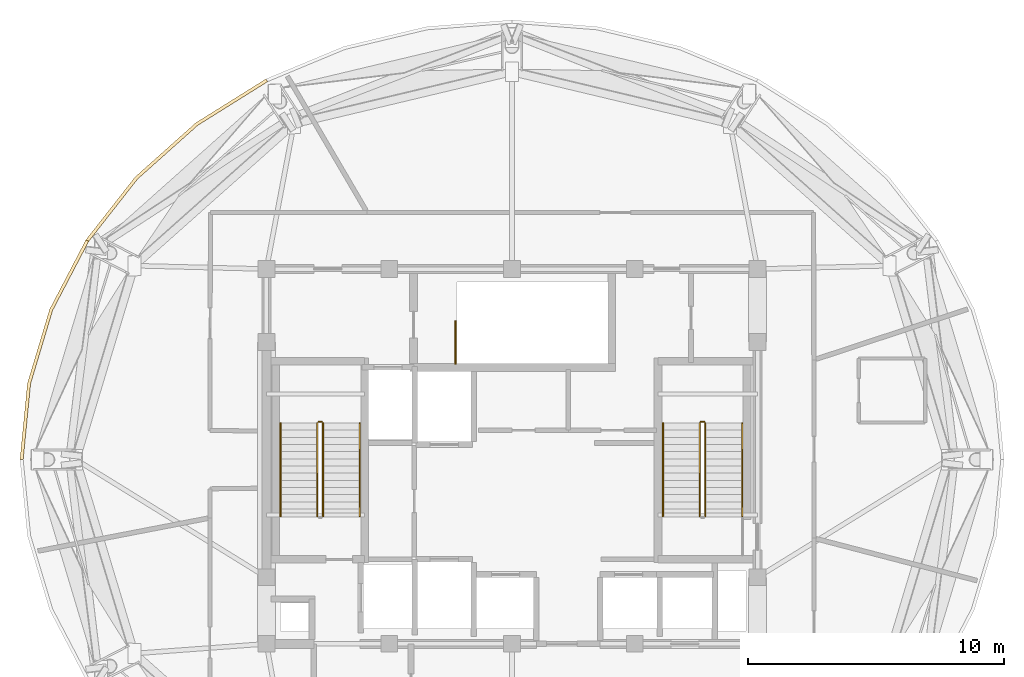
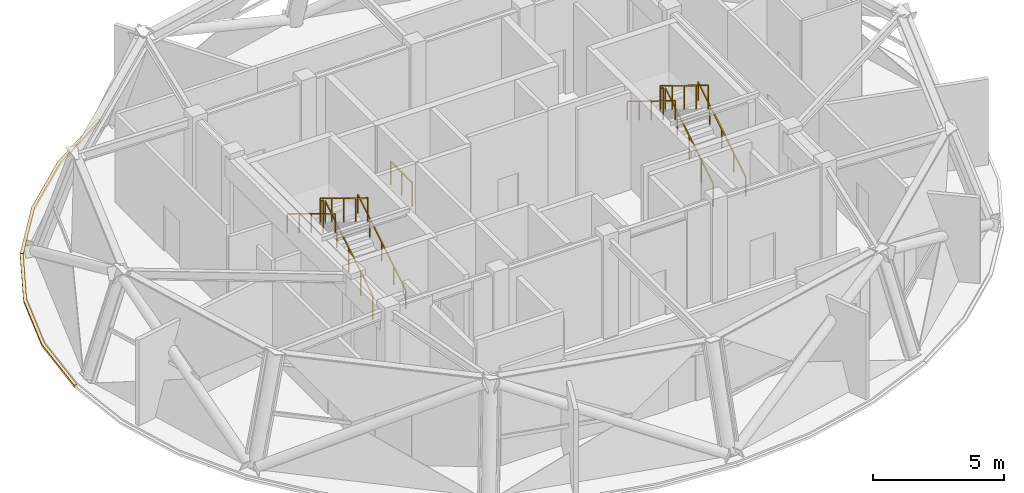
# One storey, part 10 of 11: 11 railings, 2 coverings.
"""IFC4 building model written with IfcOpenShell, lengths in metres."""

from ifc_helpers import new_model, si_unit, direction, frame, origin, origin_2d, place, context, subcontext, project, spatial, polyline, rectangle, outline, extrude, material, layer, layer_set, type_object, element, save


model = new_model("IFC4")

# Units and contexts
model_context = context("Model", 3, precision=1e-05, world=origin(), true_north=direction((0.0, 1.0)))
body_context = subcontext(model_context, "Body", "Model", "MODEL_VIEW")
ifc_project = project(units=[si_unit("LENGTHUNIT", "METRE"), si_unit("AREAUNIT", "SQUARE_METRE"), si_unit("VOLUMEUNIT", "CUBIC_METRE"), si_unit("PLANEANGLEUNIT", "RADIAN"), si_unit("MASSUNIT", "GRAM", prefix="KILO")], contexts=[model_context])

# Site, building, storey
site_placement = place(None, origin())
site = spatial("IfcSite", under=ifc_project, at=site_placement, CompositionType="ELEMENT")
building_placement = place(site_placement, origin())
building = spatial("IfcBuilding", under=site, at=building_placement, Name="Vantalir Tower", CompositionType="ELEMENT")
storey_placement = place(building_placement, frame((0.0, 0.0, 299.699951171875)))
storey = spatial("IfcBuildingStorey", under=building, at=storey_placement, Name="L75", CompositionType="ELEMENT", Elevation=299.699951171875)

# Coverings
ifc_material_1 = material(Name="Anodised champagne aluminium sill fascia", Category="aluminium")
ifc_layer = layer(ifc_material_1, 0.125)
ifc_layer_set = layer_set([ifc_layer], Name="Anodised champagne aluminium sill fascia")
covering_type = type_object("IfcCoveringType", Name="COV-SLAB-FASCIA-125", PredefinedType="CLADDING", material=ifc_layer_set)
covering_1_placement = place(storey_placement, frame((0.0, 0.0, -0.179931640625)))
element("IfcCovering", 1, at=covering_1_placement, inside=storey, type_object=covering_type, Name="L75 Perimeter Slab-Edge Sill Fascia 05", PredefinedType="CLADDING", context=body_context, shape_type="SweptSolid", body=[
    extrude(outline(polyline([(21.883056640625, 39.884033203125), (19.135986328125, 38.166015625), (16.764892578125, 36.048095703125), (14.842041015625, 33.593017578125), (14.949951171875, 33.531005859375), (16.861083984375, 35.967041015625), (19.216064453125, 38.070068359375), (21.945068359375, 39.77587890625), (21.883056640625, 39.884033203125)])), origin(), (0.0, 0.0, 1.0), 0.10498046875),
])
covering_2_placement = place(storey_placement, frame((0.0, 0.0, -0.179931640625)))
element("IfcCovering", 2, at=covering_2_placement, inside=storey, type_object=covering_type, Name="L75 Perimeter Slab-Edge Sill Fascia 06", PredefinedType="CLADDING", context=body_context, shape_type="SweptSolid", body=[
    extrude(outline(polyline([(14.842041015625, 33.593017578125), (13.425048828125, 30.8779296875), (12.556884765625, 27.98388671875), (12.264892578125, 25.0), (12.389892578125, 25.0), (12.679931640625, 27.962890625), (13.5419921875, 30.8359375), (14.949951171875, 33.531005859375), (14.842041015625, 33.593017578125)])), origin(), (0.0, 0.0, 1.0), 0.10498046875),
])

# Railings
ifc_material_2 = material(Name="Anodised aluminium and stainless steel guard", Category="steel")
railing_type_1 = type_object("IfcRailingType", Name="RAL-GUARD-1120", PredefinedType="GUARDRAIL", material=ifc_material_2)
railing_1_placement = place(storey_placement, frame((24.110107421875, 22.7900390625, 0.17138671875)))
element("IfcRailing", 3, at=railing_1_placement, inside=storey, type_object=railing_type_1, Name="L75 ST1 stair guard 1", PredefinedType="GUARDRAIL", context=body_context, shape_type="SweptSolid", body=[
    extrude(rectangle(XDim=0.048095703125, YDim=0.048095703125, at=origin_2d()), frame((0.0, 0.0, 1.09619140625), z_axis=(0.0, 0.852824790078, 0.522197163366), x_axis=(-1.0, 0.0, 0.0)), (0.0, 0.0, 1.0), 4.26806640625),
    extrude(rectangle(XDim=0.0419921875, YDim=0.0419921875, at=origin_2d()), origin(), (0.0, 0.0, 1.0), 1.072021484375),
    extrude(rectangle(XDim=0.0419921875, YDim=0.0419921875, at=origin_2d()), frame((0.0, 0.909912109375, 0.55712890625)), (0.0, 0.0, 1.0), 1.072021484375),
    extrude(rectangle(XDim=0.0419921875, YDim=0.0419921875, at=origin_2d()), frame((0.0, 1.81982421875, 1.1142578125)), (0.0, 0.0, 1.0), 1.072021484375),
    extrude(rectangle(XDim=0.0419921875, YDim=0.0419921875, at=origin_2d()), frame((0.0, 2.72998046875, 1.671630859375)), (0.0, 0.0, 1.0), 1.072021484375),
    extrude(rectangle(XDim=0.0419921875, YDim=0.0419921875, at=origin_2d()), frame((0.0, 3.639892578125, 2.228759765625)), (0.0, 0.0, 1.0), 1.072021484375),
])
railing_2_placement = place(storey_placement, frame((24.06005859375, 26.47998046875, 2.400146484375)))
element("IfcRailing", 4, at=railing_2_placement, inside=storey, type_object=railing_type_1, Name="L75 ST1 stair guard 2", PredefinedType="GUARDRAIL", context=body_context, shape_type="SweptSolid", body=[
    extrude(rectangle(XDim=0.048095703125, YDim=0.048095703125, at=origin_2d()), frame((0.0, 0.0, 1.09619140625), z_axis=(-1.0, 0.0, 0.0), x_axis=(0.0, -1.0, 0.0)), (0.0, 0.0, 1.0), 0.1201171875),
    extrude(rectangle(XDim=0.0419921875, YDim=0.0419921875, at=origin_2d()), origin(), (0.0, 0.0, 1.0), 1.072021484375),
    extrude(rectangle(XDim=0.0419921875, YDim=0.0419921875, at=origin_2d()), frame((-0.1201171875, 0.0, 0.0)), (0.0, 0.0, 1.0), 1.072021484375),
])
railing_3_placement = place(storey_placement, frame((23.889892578125, 26.429931640625, 2.571533203125)))
element("IfcRailing", 5, at=railing_3_placement, inside=storey, type_object=railing_type_1, Name="L75 ST1 stair guard 3", PredefinedType="GUARDRAIL", context=body_context, shape_type="SweptSolid", body=[
    extrude(rectangle(XDim=0.048095703125, YDim=0.048095703125, at=origin_2d()), frame((0.0, 0.0, 1.09619140625), z_axis=(0.0, -0.852850264322, 0.5221555579), x_axis=(1.0, 0.0, 0.0)), (0.0, 0.0, 1.0), 4.267822265625),
    extrude(rectangle(XDim=0.0419921875, YDim=0.0419921875, at=origin_2d()), origin(), (0.0, 0.0, 1.0), 1.072021484375),
    extrude(rectangle(XDim=0.0419921875, YDim=0.0419921875, at=origin_2d()), frame((0.0, -0.909912109375, 0.55712890625)), (0.0, 0.0, 1.0), 1.072021484375),
    extrude(rectangle(XDim=0.0419921875, YDim=0.0419921875, at=origin_2d()), frame((0.0, -1.81982421875, 1.1142578125)), (0.0, 0.0, 1.0), 1.072021484375),
    extrude(rectangle(XDim=0.0419921875, YDim=0.0419921875, at=origin_2d()), frame((0.0, -2.72998046875, 1.67138671875)), (0.0, 0.0, 1.0), 1.072021484375),
    extrude(rectangle(XDim=0.0419921875, YDim=0.0419921875, at=origin_2d()), frame((0.0, -3.639892578125, 2.228515625)), (0.0, 0.0, 1.0), 1.072021484375),
])
railing_4_placement = place(storey_placement, frame((39.06005859375, 22.7900390625, 0.17138671875)))
element("IfcRailing", 6, at=railing_4_placement, inside=storey, type_object=railing_type_1, Name="L75 ST2 stair guard 1", PredefinedType="GUARDRAIL", context=body_context, shape_type="SweptSolid", body=[
    extrude(rectangle(XDim=0.048095703125, YDim=0.048095703125, at=origin_2d()), frame((0.0, 0.0, 1.09619140625), z_axis=(0.0, 0.852824790078, 0.522197163366), x_axis=(-1.0, 0.0, 0.0)), (0.0, 0.0, 1.0), 4.26806640625),
    extrude(rectangle(XDim=0.0419921875, YDim=0.0419921875, at=origin_2d()), origin(), (0.0, 0.0, 1.0), 1.072021484375),
    extrude(rectangle(XDim=0.0419921875, YDim=0.0419921875, at=origin_2d()), frame((0.0, 0.909912109375, 0.55712890625)), (0.0, 0.0, 1.0), 1.072021484375),
    extrude(rectangle(XDim=0.0419921875, YDim=0.0419921875, at=origin_2d()), frame((0.0, 1.81982421875, 1.1142578125)), (0.0, 0.0, 1.0), 1.072021484375),
    extrude(rectangle(XDim=0.0419921875, YDim=0.0419921875, at=origin_2d()), frame((0.0, 2.72998046875, 1.671630859375)), (0.0, 0.0, 1.0), 1.072021484375),
    extrude(rectangle(XDim=0.0419921875, YDim=0.0419921875, at=origin_2d()), frame((0.0, 3.639892578125, 2.228759765625)), (0.0, 0.0, 1.0), 1.072021484375),
])
railing_5_placement = place(storey_placement, frame((39.010009765625, 26.47998046875, 2.400146484375)))
element("IfcRailing", 7, at=railing_5_placement, inside=storey, type_object=railing_type_1, Name="L75 ST2 stair guard 2", PredefinedType="GUARDRAIL", context=body_context, shape_type="SweptSolid", body=[
    extrude(rectangle(XDim=0.048095703125, YDim=0.048095703125, at=origin_2d()), frame((0.0, 0.0, 1.09619140625), z_axis=(-1.0, 0.0, 0.0), x_axis=(0.0, -1.0, 0.0)), (0.0, 0.0, 1.0), 0.1201171875),
    extrude(rectangle(XDim=0.0419921875, YDim=0.0419921875, at=origin_2d()), origin(), (0.0, 0.0, 1.0), 1.072021484375),
    extrude(rectangle(XDim=0.0419921875, YDim=0.0419921875, at=origin_2d()), frame((-0.1201171875, 0.0, 0.0)), (0.0, 0.0, 1.0), 1.072021484375),
])
railing_6_placement = place(storey_placement, frame((38.840087890625, 26.429931640625, 2.571533203125)))
element("IfcRailing", 8, at=railing_6_placement, inside=storey, type_object=railing_type_1, Name="L75 ST2 stair guard 3", PredefinedType="GUARDRAIL", context=body_context, shape_type="SweptSolid", body=[
    extrude(rectangle(XDim=0.048095703125, YDim=0.048095703125, at=origin_2d()), frame((0.0, 0.0, 1.09619140625), z_axis=(0.0, -0.852850264322, 0.5221555579), x_axis=(1.0, 0.0, 0.0)), (0.0, 0.0, 1.0), 4.267822265625),
    extrude(rectangle(XDim=0.0419921875, YDim=0.0419921875, at=origin_2d()), origin(), (0.0, 0.0, 1.0), 1.072021484375),
    extrude(rectangle(XDim=0.0419921875, YDim=0.0419921875, at=origin_2d()), frame((0.0, -0.909912109375, 0.55712890625)), (0.0, 0.0, 1.0), 1.072021484375),
    extrude(rectangle(XDim=0.0419921875, YDim=0.0419921875, at=origin_2d()), frame((0.0, -1.81982421875, 1.1142578125)), (0.0, 0.0, 1.0), 1.072021484375),
    extrude(rectangle(XDim=0.0419921875, YDim=0.0419921875, at=origin_2d()), frame((0.0, -2.72998046875, 1.67138671875)), (0.0, 0.0, 1.0), 1.072021484375),
    extrude(rectangle(XDim=0.0419921875, YDim=0.0419921875, at=origin_2d()), frame((0.0, -3.639892578125, 2.228515625)), (0.0, 0.0, 1.0), 1.072021484375),
])
railing_7_placement = place(storey_placement, frame((29.2900390625, 28.75, 0.0)))
element("IfcRailing", 9, at=railing_7_placement, inside=storey, type_object=railing_type_1, Name="L75 ST3 top well guard 1", PredefinedType="GUARDRAIL", context=body_context, shape_type="SweptSolid", body=[
    extrude(rectangle(XDim=0.048095703125, YDim=0.048095703125, at=origin_2d()), frame((0.0, 0.0, 1.09619140625), z_axis=(0.0, 1.0, 0.0), x_axis=(-1.0, 0.0, 0.0)), (0.0, 0.0, 1.0), 1.659912109375),
    extrude(rectangle(XDim=0.0419921875, YDim=0.0419921875, at=origin_2d()), origin(), (0.0, 0.0, 1.0), 1.072021484375),
    extrude(rectangle(XDim=0.0419921875, YDim=0.0419921875, at=origin_2d()), frame((0.0, 0.830078125, 0.0)), (0.0, 0.0, 1.0), 1.072021484375),
    extrude(rectangle(XDim=0.0419921875, YDim=0.0419921875, at=origin_2d()), frame((0.0, 1.659912109375, 0.0)), (0.0, 0.0, 1.0), 1.072021484375),
])
ifc_material_3 = material(Name="Brushed stainless steel tubular handrail", Category="steel")
railing_type_2 = type_object("IfcRailingType", Name="RAL-HANDRAIL-900", PredefinedType="HANDRAIL", material=ifc_material_3)
railing_8_placement = place(storey_placement, frame((25.550048828125, 22.7900390625, 0.17138671875)))
element("IfcRailing", 10, at=railing_8_placement, inside=storey, type_object=railing_type_2, Name="L75 ST1 stair handrail 1", PredefinedType="HANDRAIL", context=body_context, shape_type="SweptSolid", body=[
    extrude(rectangle(XDim=0.048095703125, YDim=0.048095703125, at=origin_2d()), frame((0.0, 0.0, 0.8759765625), z_axis=(0.0, 0.852824790078, 0.522197163366), x_axis=(-1.0, 0.0, 0.0)), (0.0, 0.0, 1.0), 4.26806640625),
    extrude(rectangle(XDim=0.0419921875, YDim=0.0419921875, at=origin_2d()), origin(), (0.0, 0.0, 1.0), 0.851806640625),
    extrude(rectangle(XDim=0.0419921875, YDim=0.0419921875, at=origin_2d()), frame((0.0, 0.909912109375, 0.55712890625)), (0.0, 0.0, 1.0), 0.851806640625),
    extrude(rectangle(XDim=0.0419921875, YDim=0.0419921875, at=origin_2d()), frame((0.0, 1.81982421875, 1.1142578125)), (0.0, 0.0, 1.0), 0.851806640625),
    extrude(rectangle(XDim=0.0419921875, YDim=0.0419921875, at=origin_2d()), frame((0.0, 2.72998046875, 1.671630859375)), (0.0, 0.0, 1.0), 0.851806640625),
    extrude(rectangle(XDim=0.0419921875, YDim=0.0419921875, at=origin_2d()), frame((0.0, 3.639892578125, 2.228759765625)), (0.0, 0.0, 1.0), 0.851806640625),
])
railing_9_placement = place(storey_placement, frame((22.449951171875, 26.429931640625, 2.571533203125)))
element("IfcRailing", 11, at=railing_9_placement, inside=storey, type_object=railing_type_2, Name="L75 ST1 stair handrail 2", PredefinedType="HANDRAIL", context=body_context, shape_type="SweptSolid", body=[
    extrude(rectangle(XDim=0.048095703125, YDim=0.048095703125, at=origin_2d()), frame((0.0, 0.0, 0.8759765625), z_axis=(0.0, -0.852850264322, 0.5221555579), x_axis=(1.0, 0.0, 0.0)), (0.0, 0.0, 1.0), 4.267822265625),
    extrude(rectangle(XDim=0.0419921875, YDim=0.0419921875, at=origin_2d()), origin(), (0.0, 0.0, 1.0), 0.851806640625),
    extrude(rectangle(XDim=0.0419921875, YDim=0.0419921875, at=origin_2d()), frame((0.0, -0.909912109375, 0.55712890625)), (0.0, 0.0, 1.0), 0.851806640625),
    extrude(rectangle(XDim=0.0419921875, YDim=0.0419921875, at=origin_2d()), frame((0.0, -1.81982421875, 1.1142578125)), (0.0, 0.0, 1.0), 0.851806640625),
    extrude(rectangle(XDim=0.0419921875, YDim=0.0419921875, at=origin_2d()), frame((0.0, -2.72998046875, 1.67138671875)), (0.0, 0.0, 1.0), 0.851806640625),
    extrude(rectangle(XDim=0.0419921875, YDim=0.0419921875, at=origin_2d()), frame((0.0, -3.639892578125, 2.228515625)), (0.0, 0.0, 1.0), 0.851806640625),
])
railing_10_placement = place(storey_placement, frame((40.5, 22.7900390625, 0.17138671875)))
element("IfcRailing", 12, at=railing_10_placement, inside=storey, type_object=railing_type_2, Name="L75 ST2 stair handrail 1", PredefinedType="HANDRAIL", context=body_context, shape_type="SweptSolid", body=[
    extrude(rectangle(XDim=0.048095703125, YDim=0.048095703125, at=origin_2d()), frame((0.0, 0.0, 0.8759765625), z_axis=(0.0, 0.852824790078, 0.522197163366), x_axis=(-1.0, 0.0, 0.0)), (0.0, 0.0, 1.0), 4.26806640625),
    extrude(rectangle(XDim=0.0419921875, YDim=0.0419921875, at=origin_2d()), origin(), (0.0, 0.0, 1.0), 0.851806640625),
    extrude(rectangle(XDim=0.0419921875, YDim=0.0419921875, at=origin_2d()), frame((0.0, 0.909912109375, 0.55712890625)), (0.0, 0.0, 1.0), 0.851806640625),
    extrude(rectangle(XDim=0.0419921875, YDim=0.0419921875, at=origin_2d()), frame((0.0, 1.81982421875, 1.1142578125)), (0.0, 0.0, 1.0), 0.851806640625),
    extrude(rectangle(XDim=0.0419921875, YDim=0.0419921875, at=origin_2d()), frame((0.0, 2.72998046875, 1.671630859375)), (0.0, 0.0, 1.0), 0.851806640625),
    extrude(rectangle(XDim=0.0419921875, YDim=0.0419921875, at=origin_2d()), frame((0.0, 3.639892578125, 2.228759765625)), (0.0, 0.0, 1.0), 0.851806640625),
])
railing_11_placement = place(storey_placement, frame((37.39990234375, 26.429931640625, 2.571533203125)))
element("IfcRailing", 13, at=railing_11_placement, inside=storey, type_object=railing_type_2, Name="L75 ST2 stair handrail 2", PredefinedType="HANDRAIL", context=body_context, shape_type="SweptSolid", body=[
    extrude(rectangle(XDim=0.048095703125, YDim=0.048095703125, at=origin_2d()), frame((0.0, 0.0, 0.8759765625), z_axis=(0.0, -0.852850264322, 0.5221555579), x_axis=(1.0, 0.0, 0.0)), (0.0, 0.0, 1.0), 4.267822265625),
    extrude(rectangle(XDim=0.0419921875, YDim=0.0419921875, at=origin_2d()), origin(), (0.0, 0.0, 1.0), 0.851806640625),
    extrude(rectangle(XDim=0.0419921875, YDim=0.0419921875, at=origin_2d()), frame((0.0, -0.909912109375, 0.55712890625)), (0.0, 0.0, 1.0), 0.851806640625),
    extrude(rectangle(XDim=0.0419921875, YDim=0.0419921875, at=origin_2d()), frame((0.0, -1.81982421875, 1.1142578125)), (0.0, 0.0, 1.0), 0.851806640625),
    extrude(rectangle(XDim=0.0419921875, YDim=0.0419921875, at=origin_2d()), frame((0.0, -2.72998046875, 1.67138671875)), (0.0, 0.0, 1.0), 0.851806640625),
    extrude(rectangle(XDim=0.0419921875, YDim=0.0419921875, at=origin_2d()), frame((0.0, -3.639892578125, 2.228515625)), (0.0, 0.0, 1.0), 0.851806640625),
])

save(model, "model.ifc")
